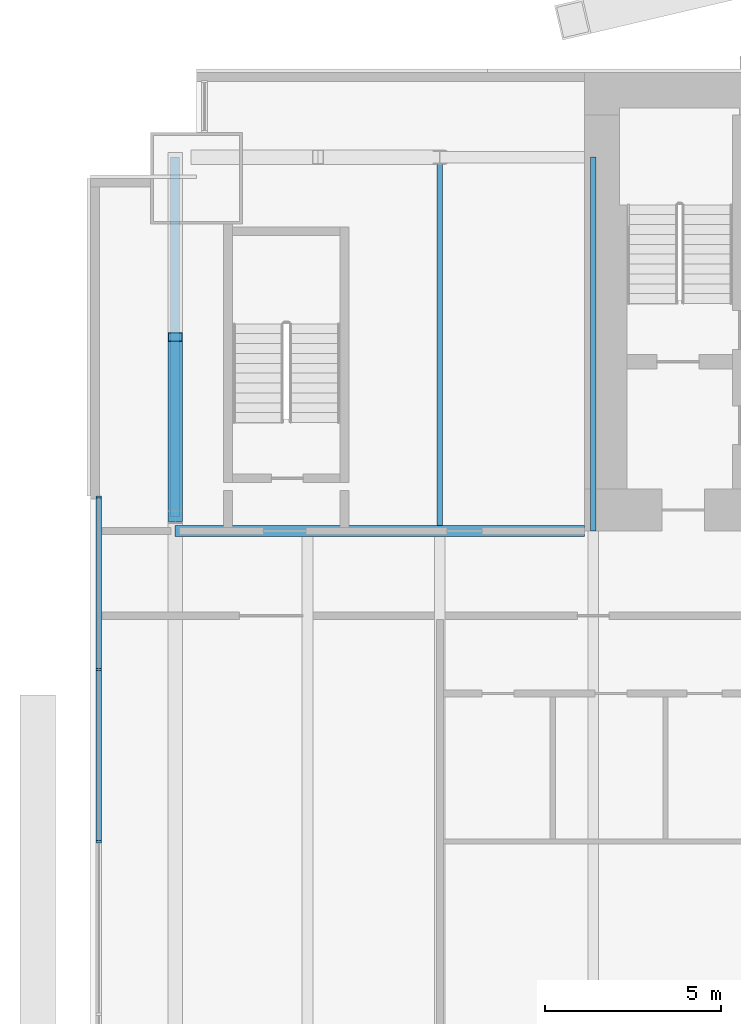
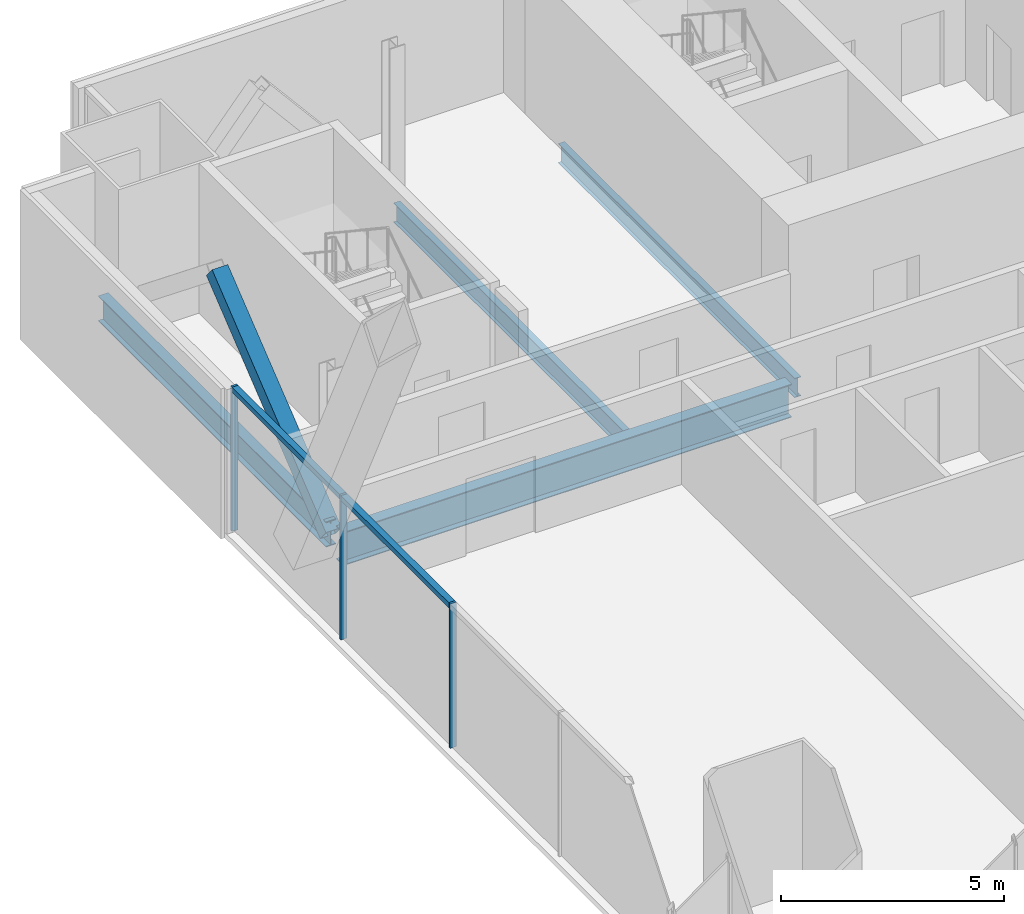
# One storey, part 8 of 24: 6 members, 4 beams, 1 element without a shape of its own.
"""IFC4 building model written with IfcOpenShell, lengths in metres."""

from ifc_helpers import new_model, si_unit, direction, frame, origin, origin_2d, place, context, subcontext, project, spatial, rectangle, hollow_rectangle, i_section, extrude, material, material_profile, profile_set, type_object, element, aggregate, save


model = new_model("IFC4")

# Units and contexts
model_context = context("Model", 3, precision=1e-05, world=origin(), true_north=direction((0.0, 1.0)))
body_context = subcontext(model_context, "Body", "Model", "MODEL_VIEW")
ifc_project = project(units=[si_unit("LENGTHUNIT", "METRE"), si_unit("AREAUNIT", "SQUARE_METRE"), si_unit("VOLUMEUNIT", "CUBIC_METRE"), si_unit("PLANEANGLEUNIT", "RADIAN"), si_unit("MASSUNIT", "GRAM", prefix="KILO")], contexts=[model_context])

# Site, building, storey
site_placement = place(None, origin())
site = spatial("IfcSite", under=ifc_project, at=site_placement, CompositionType="ELEMENT")
building_placement = place(site_placement, origin())
building = spatial("IfcBuilding", under=site, at=building_placement, Name="Bicima Exchange Tower", CompositionType="ELEMENT")
storey_placement = place(building_placement, frame((0.0, 0.0, 160.89990234375)))
storey = spatial("IfcBuildingStorey", under=building, at=storey_placement, Name="L35", CompositionType="ELEMENT", Elevation=160.89990234375)

# Beam
ifc_material_1 = material(Name="Steel ASTM A992 Gr 50", Category="steel")
ifc_material_profile_1 = material_profile(ifc_material_1, i_section(OverallWidth=0.3046875, OverallDepth=0.911865234375, WebThickness=0.015869140625, FlangeThickness=0.02392578125, at=origin_2d()))
ifc_profile_set_1 = profile_set([ifc_material_profile_1], Name="Steel ASTM A992 Gr 50")
beam_type_1 = type_object("IfcBeamType", Name="Core-line girder W36x150", PredefinedType="BEAM", material=ifc_profile_set_1)
beam_1_placement = place(storey_placement, frame((-22.0, -13.0, -0.605712890625), z_axis=(-1.0, 0.0, 0.0), x_axis=(0.0, -1.0, 0.0)))
element("IfcBeam", 1, at=beam_1_placement, inside=storey, type_object=beam_type_1, Name="Core-line girder", PredefinedType="BEAM", context=body_context, shape_type="SweptSolid", body=[
    extrude(i_section(OverallWidth=0.3046875, OverallDepth=0.911865234375, WebThickness=0.015869140625, FlangeThickness=0.02392578125, at=origin_2d()), origin(), (0.0, 0.0, 1.0), 11.60009765625),
])

# Curtain wall, members
ifc_material_2 = material(Name="Anodised bronze aluminium", Category="aluminium")
curtain_wall_type = type_object("IfcCurtainWallType", Name="End face glass wall", PredefinedType="NOTDEFINED", material=ifc_material_2)
curtain_wall_placement = place(storey_placement, origin())
curtain_wall = element("IfcCurtainWall", 2, at=curtain_wall_placement, inside=storey, type_object=curtain_wall_type, Name="End face glass wall L35 run 2", PredefinedType="NOTDEFINED")
ifc_material_profile_2 = material_profile(ifc_material_2, rectangle(XDim=0.159912109375, YDim=0.06005859375, at=origin_2d()))
ifc_profile_set_2 = profile_set([ifc_material_profile_2], Name="Anodised bronze aluminium")
member_type_1 = type_object("IfcMemberType", Name="End face glass wall mullion 60 x 160", PredefinedType="MULLION", material=ifc_profile_set_2)
member_1_placement = place(storey_placement, frame((-35.77001953125, -12.030029296875, 0.0), z_axis=(0.0, 0.0, 1.0), x_axis=(1.0, 0.0, 0.0)))
member_1 = element("IfcMember", 3, at=member_1_placement, type_object=member_type_1, Name="End face glass wall mullion 1", PredefinedType="MULLION", context=body_context, shape_type="SweptSolid", body=[
    extrude(rectangle(XDim=0.159912109375, YDim=0.06005859375, at=origin_2d()), origin(), (0.0, 0.0, 1.0), 3.9501953125),
])
member_2_placement = place(storey_placement, frame((-35.77001953125, -16.91845703125, 0.0), z_axis=(0.0, 0.0, 1.0), x_axis=(1.0, 0.0, 0.0)))
member_2 = element("IfcMember", 4, at=member_2_placement, type_object=member_type_1, Name="End face glass wall mullion 2", PredefinedType="MULLION", context=body_context, shape_type="SweptSolid", body=[
    extrude(rectangle(XDim=0.159912109375, YDim=0.06005859375, at=origin_2d()), origin(), (0.0, 0.0, 1.0), 3.9501953125),
])
member_3_placement = place(storey_placement, frame((-35.77001953125, -21.806884765625, 0.0), z_axis=(0.0, 0.0, 1.0), x_axis=(1.0, 0.0, 0.0)))
member_3 = element("IfcMember", 5, at=member_3_placement, type_object=member_type_1, Name="End face glass wall mullion 3", PredefinedType="MULLION", context=body_context, shape_type="SweptSolid", body=[
    extrude(rectangle(XDim=0.159912109375, YDim=0.06005859375, at=origin_2d()), origin(), (0.0, 0.0, 1.0), 3.9501953125),
])
ifc_material_profile_3 = material_profile(ifc_material_2, rectangle(XDim=0.159912109375, YDim=0.139892578125, at=origin_2d()))
ifc_profile_set_3 = profile_set([ifc_material_profile_3], Name="Anodised bronze aluminium")
member_type_2 = type_object("IfcMemberType", Name="End face glass wall transom 140 x 160", PredefinedType="USERDEFINED", material=ifc_profile_set_3)
member_4_placement = place(storey_placement, frame((-35.77001953125, -12.06005859375, 3.880126953125), z_axis=(0.0, -1.0, 0.0), x_axis=(1.0, 0.0, 0.0)))
member_4 = element("IfcMember", 6, at=member_4_placement, type_object=member_type_2, Name="End face glass wall transom 1.1", ObjectType="TRANSOM", PredefinedType="USERDEFINED", context=body_context, shape_type="SweptSolid", body=[
    extrude(rectangle(XDim=0.159912109375, YDim=0.139892578125, at=origin_2d()), origin(), (0.0, 0.0, 1.0), 4.828369140625),
])
member_5_placement = place(storey_placement, frame((-35.77001953125, -16.948486328125, 3.880126953125), z_axis=(0.0, -1.0, 0.0), x_axis=(1.0, 0.0, 0.0)))
member_5 = element("IfcMember", 7, at=member_5_placement, type_object=member_type_2, Name="End face glass wall transom 2.1", ObjectType="TRANSOM", PredefinedType="USERDEFINED", context=body_context, shape_type="SweptSolid", body=[
    extrude(rectangle(XDim=0.159912109375, YDim=0.139892578125, at=origin_2d()), origin(), (0.0, 0.0, 1.0), 4.82861328125),
])
aggregate(curtain_wall, [member_1, member_2, member_3, member_4, member_5])

# Beams
ifc_material_profile_4 = material_profile(ifc_material_1, i_section(OverallWidth=0.256591796875, OverallDepth=0.693359375, WebThickness=0.014404296875, FlangeThickness=0.023681640625, at=origin_2d()))
ifc_profile_set_4 = profile_set([ifc_material_profile_4], Name="Steel ASTM A992 Gr 50")
beam_type_2 = type_object("IfcBeamType", Name="End girder W27x114", PredefinedType="BEAM", material=ifc_profile_set_4)
beam_2_placement = place(storey_placement, frame((-33.60009765625, -2.39990234375, -0.49658203125), z_axis=(0.0, -1.0, 0.0), x_axis=(1.0, 0.0, 0.0)))
element("IfcBeam", 8, at=beam_2_placement, inside=storey, type_object=beam_type_2, Name="End girder", PredefinedType="BEAM", context=body_context, shape_type="SweptSolid", body=[
    extrude(i_section(OverallWidth=0.256591796875, OverallDepth=0.693359375, WebThickness=0.014404296875, FlangeThickness=0.023681640625, at=origin_2d()), origin(), (0.0, 0.0, 1.0), 10.2001953125),
])
ifc_material_profile_5 = material_profile(ifc_material_1, i_section(OverallWidth=0.165771484375, OverallDepth=0.5283203125, WebThickness=0.009765625, FlangeThickness=0.013671875, at=origin_2d()))
ifc_profile_set_5 = profile_set([ifc_material_profile_5], Name="Steel ASTM A992 Gr 50")
beam_type_3 = type_object("IfcBeamType", Name="Floor beam W21x50", PredefinedType="JOIST", material=ifc_profile_set_5)
beam_3_placement = place(storey_placement, frame((-26.10009765625, -2.5625, -0.4140625), z_axis=(0.0, -1.0, 0.0), x_axis=(1.0, 0.0, 0.0)))
element("IfcBeam", 9, at=beam_3_placement, inside=storey, type_object=beam_type_3, Name="Floor beam", PredefinedType="JOIST", context=body_context, shape_type="SweptSolid", body=[
    extrude(i_section(OverallWidth=0.165771484375, OverallDepth=0.5283203125, WebThickness=0.009765625, FlangeThickness=0.013671875, at=origin_2d()), origin(), (0.0, 0.0, 1.0), 10.28515625),
])
beam_4_placement = place(storey_placement, frame((-21.75, -2.39990234375, -0.4140625), z_axis=(0.0, -1.0, 0.0), x_axis=(1.0, 0.0, 0.0)))
element("IfcBeam", 10, at=beam_4_placement, inside=storey, type_object=beam_type_3, Name="Floor beam", PredefinedType="JOIST", context=body_context, shape_type="SweptSolid", body=[
    extrude(i_section(OverallWidth=0.165771484375, OverallDepth=0.5283203125, WebThickness=0.009765625, FlangeThickness=0.013671875, at=origin_2d()), origin(), (0.0, 0.0, 1.0), 10.60009765625),
])

# Member
ifc_material_3 = material(Name="Steel ASTM A572 Gr 50", Category="steel")
ifc_material_profile_6 = material_profile(ifc_material_3, hollow_rectangle(XDim=0.406494140625, YDim=0.406494140625, WallThickness=0.017822265625, at=origin_2d()))
ifc_profile_set_6 = profile_set([ifc_material_profile_6], Name="Steel ASTM A572 Gr 50")
member_type_3 = type_object("IfcMemberType", Name="Mega brace HSS16x16x3/4", PredefinedType="BRACE", material=ifc_profile_set_6)
member_6_placement = place(storey_placement, frame((-33.60009765625, -12.60009765625, -0.49658203125), z_axis=(0.0, 0.779374241895, 0.626558689247), x_axis=(-1.0, 0.0, 0.0)))
element("IfcMember", 11, at=member_6_placement, inside=storey, type_object=member_type_3, Name="Mega brace west end", PredefinedType="BRACE", context=body_context, shape_type="SweptSolid", body=[
    extrude(hollow_rectangle(XDim=0.406494140625, YDim=0.406494140625, WallThickness=0.017822265625, at=origin_2d()), origin(), (0.0, 0.0, 1.0), 6.5439453125),
])

save(model, "model.ifc")
